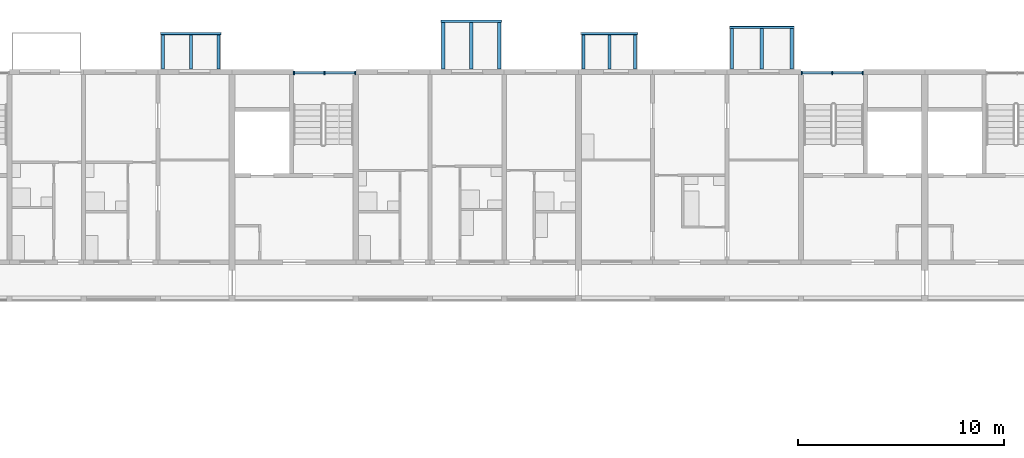
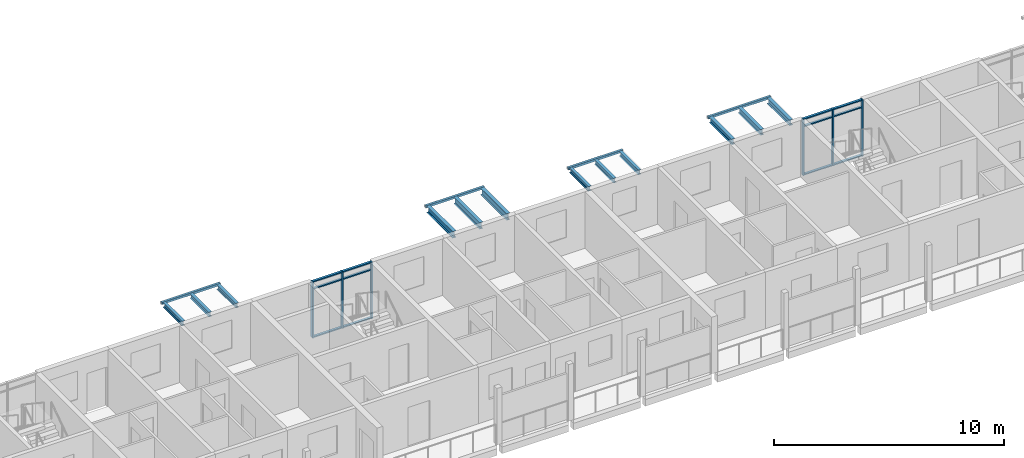
# One storey, part 19 of 99: 18 members, 16 beams, 2 elements without a shape of their own.
"""IFC4 building model written with IfcOpenShell, lengths in metres."""

from ifc_helpers import new_model, si_unit, direction, frame, origin, origin_2d, place, context, subcontext, project, spatial, rectangle, hollow_rectangle, i_section, extrude, material, material_profile, profile_set, type_object, element, aggregate, save


model = new_model("IFC4")

# Units and contexts
model_context = context("Model", 3, precision=1e-05, world=origin(), true_north=direction((0.0, 1.0)))
body_context = subcontext(model_context, "Body", "Model", "MODEL_VIEW")
ifc_project = project(units=[si_unit("LENGTHUNIT", "METRE"), si_unit("AREAUNIT", "SQUARE_METRE"), si_unit("VOLUMEUNIT", "CUBIC_METRE"), si_unit("PLANEANGLEUNIT", "RADIAN"), si_unit("MASSUNIT", "GRAM", prefix="KILO")], contexts=[model_context])

# Site, building, storey
site_placement = place(None, origin())
site = spatial("IfcSite", under=ifc_project, at=site_placement, CompositionType="ELEMENT")
building_placement = place(site_placement, origin())
building = spatial("IfcBuilding", under=site, at=building_placement, Name="Ridgestep Commons", CompositionType="ELEMENT")
storey_placement = place(building_placement, frame((0.0, 0.0, 15.0)))
storey = spatial("IfcBuildingStorey", under=building, at=storey_placement, Name="L05", CompositionType="ELEMENT", Elevation=15.0)

# Curtain wall, members
ifc_material_1 = material(Name="Aluminium 6063-T6 and glass", Category="aluminium")
curtain_wall_type = type_object("IfcCurtainWallType", Name="Curtain wall stair strip", PredefinedType="NOTDEFINED", material=ifc_material_1)
curtain_wall_1_placement = place(storey_placement, origin())
curtain_wall_1 = element("IfcCurtainWall", 1, at=curtain_wall_1_placement, inside=storey, type_object=curtain_wall_type, Name="Curtain wall C4C level 05", PredefinedType="NOTDEFINED")
ifc_material_2 = material(Name="Aluminium 6063-T6", Category="aluminium")
ifc_material_profile_1 = material_profile(ifc_material_2, rectangle(XDim=0.159912109375, YDim=0.06005859375, at=origin_2d()), Name="Mullion 60 x 160")
ifc_profile_set_1 = profile_set([ifc_material_profile_1], Name="Aluminium 6063-T6")
member_type_1 = type_object("IfcMemberType", Name="Mullion 60 x 160", PredefinedType="MULLION", material=ifc_profile_set_1)
member_1_placement = place(storey_placement, frame((200.205078125, 77.080078125, 0.0), z_axis=(0.0, 0.0, 1.0), x_axis=(0.0, 1.0, 0.0)))
member_1 = element("IfcMember", 2, at=member_1_placement, type_object=member_type_1, Name="CW1 mullion 1", PredefinedType="MULLION", context=body_context, shape_type="SweptSolid", body=[
    extrude(rectangle(XDim=0.159912109375, YDim=0.06005859375, at=origin_2d()), origin(), (0.0, 0.0, 1.0), 3.0),
])
member_2_placement = place(storey_placement, frame((201.6875, 77.080078125, 0.0), z_axis=(0.0, 0.0, 1.0), x_axis=(0.0, 1.0, 0.0)))
member_2 = element("IfcMember", 3, at=member_2_placement, type_object=member_type_1, Name="CW1 mullion 2", PredefinedType="MULLION", context=body_context, shape_type="SweptSolid", body=[
    extrude(rectangle(XDim=0.159912109375, YDim=0.06005859375, at=origin_2d()), origin(), (0.0, 0.0, 1.0), 3.0),
])
member_3_placement = place(storey_placement, frame((203.169921875, 77.080078125, 0.0), z_axis=(0.0, 0.0, 1.0), x_axis=(0.0, 1.0, 0.0)))
member_3 = element("IfcMember", 4, at=member_3_placement, type_object=member_type_1, Name="CW1 mullion 3", PredefinedType="MULLION", context=body_context, shape_type="SweptSolid", body=[
    extrude(rectangle(XDim=0.159912109375, YDim=0.06005859375, at=origin_2d()), origin(), (0.0, 0.0, 1.0), 3.0),
])

curtain_wall_2_placement = place(storey_placement, origin())
curtain_wall_2 = element("IfcCurtainWall", 5, at=curtain_wall_2_placement, inside=storey, type_object=curtain_wall_type, Name="Curtain wall C5C level 05", PredefinedType="NOTDEFINED")
member_4_placement = place(storey_placement, frame((224.830078125, 77.080078125, 0.0), z_axis=(0.0, 0.0, 1.0), x_axis=(0.0, 1.0, 0.0)))
member_4 = element("IfcMember", 6, at=member_4_placement, type_object=member_type_1, Name="CW1 mullion 1", PredefinedType="MULLION", context=body_context, shape_type="SweptSolid", body=[
    extrude(rectangle(XDim=0.159912109375, YDim=0.06005859375, at=origin_2d()), origin(), (0.0, 0.0, 1.0), 3.0),
])
member_5_placement = place(storey_placement, frame((226.3125, 77.080078125, 0.0), z_axis=(0.0, 0.0, 1.0), x_axis=(0.0, 1.0, 0.0)))
member_5 = element("IfcMember", 7, at=member_5_placement, type_object=member_type_1, Name="CW1 mullion 2", PredefinedType="MULLION", context=body_context, shape_type="SweptSolid", body=[
    extrude(rectangle(XDim=0.159912109375, YDim=0.06005859375, at=origin_2d()), origin(), (0.0, 0.0, 1.0), 3.0),
])
member_6_placement = place(storey_placement, frame((227.794921875, 77.080078125, 0.0), z_axis=(0.0, 0.0, 1.0), x_axis=(0.0, 1.0, 0.0)))
member_6 = element("IfcMember", 8, at=member_6_placement, type_object=member_type_1, Name="CW1 mullion 3", PredefinedType="MULLION", context=body_context, shape_type="SweptSolid", body=[
    extrude(rectangle(XDim=0.159912109375, YDim=0.06005859375, at=origin_2d()), origin(), (0.0, 0.0, 1.0), 3.0),
])

# Member
ifc_material_3 = material(Name="Aluminium 6063-T6", Category="aluminium")
ifc_material_profile_2 = material_profile(ifc_material_3, rectangle(XDim=0.1201171875, YDim=0.06005859375, at=origin_2d()), Name="Transom 60 x 120")
ifc_profile_set_2 = profile_set([ifc_material_profile_2], Name="Aluminium 6063-T6")
member_type_2 = type_object("IfcMemberType", Name="Transom 60 x 120", PredefinedType="USERDEFINED", material=ifc_profile_set_2)
member_7_placement = place(storey_placement, frame((200.235107421875, 77.080078125, 0.030029296875), z_axis=(1.0, 0.0, 0.0), x_axis=(0.0, 1.0, 0.0)))
member_7 = element("IfcMember", 9, at=member_7_placement, type_object=member_type_2, Name="CW1 transom 1.1", ObjectType="TRANSOM", PredefinedType="USERDEFINED", context=body_context, shape_type="SweptSolid", body=[
    extrude(rectangle(XDim=0.1201171875, YDim=0.06005859375, at=origin_2d()), origin(), (0.0, 0.0, 1.0), 1.42236328125),
])

member_8_placement = place(storey_placement, frame((200.235107421875, 77.080078125, 2.590087890625), z_axis=(1.0, 0.0, 0.0), x_axis=(0.0, 1.0, 0.0)))
member_8 = element("IfcMember", 10, at=member_8_placement, type_object=member_type_2, Name="CW1 transom 1.2", ObjectType="TRANSOM", PredefinedType="USERDEFINED", context=body_context, shape_type="SweptSolid", body=[
    extrude(rectangle(XDim=0.1201171875, YDim=0.06005859375, at=origin_2d()), origin(), (0.0, 0.0, 1.0), 1.42236328125),
])

member_9_placement = place(storey_placement, frame((200.235107421875, 77.080078125, 2.969970703125), z_axis=(1.0, 0.0, 0.0), x_axis=(0.0, 1.0, 0.0)))
member_9 = element("IfcMember", 11, at=member_9_placement, type_object=member_type_2, Name="CW1 transom 1.3", ObjectType="TRANSOM", PredefinedType="USERDEFINED", context=body_context, shape_type="SweptSolid", body=[
    extrude(rectangle(XDim=0.1201171875, YDim=0.06005859375, at=origin_2d()), origin(), (0.0, 0.0, 1.0), 1.42236328125),
])

member_10_placement = place(storey_placement, frame((201.717529296875, 77.080078125, 0.030029296875), z_axis=(1.0, 0.0, 0.0), x_axis=(0.0, 1.0, 0.0)))
member_10 = element("IfcMember", 12, at=member_10_placement, type_object=member_type_2, Name="CW1 transom 2.1", ObjectType="TRANSOM", PredefinedType="USERDEFINED", context=body_context, shape_type="SweptSolid", body=[
    extrude(rectangle(XDim=0.1201171875, YDim=0.06005859375, at=origin_2d()), origin(), (0.0, 0.0, 1.0), 1.42236328125),
])

member_11_placement = place(storey_placement, frame((201.717529296875, 77.080078125, 2.590087890625), z_axis=(1.0, 0.0, 0.0), x_axis=(0.0, 1.0, 0.0)))
member_11 = element("IfcMember", 13, at=member_11_placement, type_object=member_type_2, Name="CW1 transom 2.2", ObjectType="TRANSOM", PredefinedType="USERDEFINED", context=body_context, shape_type="SweptSolid", body=[
    extrude(rectangle(XDim=0.1201171875, YDim=0.06005859375, at=origin_2d()), origin(), (0.0, 0.0, 1.0), 1.42236328125),
])

member_12_placement = place(storey_placement, frame((201.717529296875, 77.080078125, 2.969970703125), z_axis=(1.0, 0.0, 0.0), x_axis=(0.0, 1.0, 0.0)))
member_12 = element("IfcMember", 14, at=member_12_placement, type_object=member_type_2, Name="CW1 transom 2.3", ObjectType="TRANSOM", PredefinedType="USERDEFINED", context=body_context, shape_type="SweptSolid", body=[
    extrude(rectangle(XDim=0.1201171875, YDim=0.06005859375, at=origin_2d()), origin(), (0.0, 0.0, 1.0), 1.42236328125),
])

aggregate(curtain_wall_1, [member_1, member_2, member_3, member_7, member_8, member_9, member_10, member_11, member_12])

member_13_placement = place(storey_placement, frame((224.860107421875, 77.080078125, 0.030029296875), z_axis=(1.0, 0.0, 0.0), x_axis=(0.0, 1.0, 0.0)))
member_13 = element("IfcMember", 15, at=member_13_placement, type_object=member_type_2, Name="CW1 transom 1.1", ObjectType="TRANSOM", PredefinedType="USERDEFINED", context=body_context, shape_type="SweptSolid", body=[
    extrude(rectangle(XDim=0.1201171875, YDim=0.06005859375, at=origin_2d()), origin(), (0.0, 0.0, 1.0), 1.42236328125),
])

member_14_placement = place(storey_placement, frame((224.860107421875, 77.080078125, 2.590087890625), z_axis=(1.0, 0.0, 0.0), x_axis=(0.0, 1.0, 0.0)))
member_14 = element("IfcMember", 16, at=member_14_placement, type_object=member_type_2, Name="CW1 transom 1.2", ObjectType="TRANSOM", PredefinedType="USERDEFINED", context=body_context, shape_type="SweptSolid", body=[
    extrude(rectangle(XDim=0.1201171875, YDim=0.06005859375, at=origin_2d()), origin(), (0.0, 0.0, 1.0), 1.42236328125),
])

member_15_placement = place(storey_placement, frame((224.860107421875, 77.080078125, 2.969970703125), z_axis=(1.0, 0.0, 0.0), x_axis=(0.0, 1.0, 0.0)))
member_15 = element("IfcMember", 17, at=member_15_placement, type_object=member_type_2, Name="CW1 transom 1.3", ObjectType="TRANSOM", PredefinedType="USERDEFINED", context=body_context, shape_type="SweptSolid", body=[
    extrude(rectangle(XDim=0.1201171875, YDim=0.06005859375, at=origin_2d()), origin(), (0.0, 0.0, 1.0), 1.42236328125),
])

member_16_placement = place(storey_placement, frame((226.342529296875, 77.080078125, 0.030029296875), z_axis=(1.0, 0.0, 0.0), x_axis=(0.0, 1.0, 0.0)))
member_16 = element("IfcMember", 18, at=member_16_placement, type_object=member_type_2, Name="CW1 transom 2.1", ObjectType="TRANSOM", PredefinedType="USERDEFINED", context=body_context, shape_type="SweptSolid", body=[
    extrude(rectangle(XDim=0.1201171875, YDim=0.06005859375, at=origin_2d()), origin(), (0.0, 0.0, 1.0), 1.42236328125),
])

member_17_placement = place(storey_placement, frame((226.342529296875, 77.080078125, 2.590087890625), z_axis=(1.0, 0.0, 0.0), x_axis=(0.0, 1.0, 0.0)))
member_17 = element("IfcMember", 19, at=member_17_placement, type_object=member_type_2, Name="CW1 transom 2.2", ObjectType="TRANSOM", PredefinedType="USERDEFINED", context=body_context, shape_type="SweptSolid", body=[
    extrude(rectangle(XDim=0.1201171875, YDim=0.06005859375, at=origin_2d()), origin(), (0.0, 0.0, 1.0), 1.42236328125),
])

member_18_placement = place(storey_placement, frame((226.342529296875, 77.080078125, 2.969970703125), z_axis=(1.0, 0.0, 0.0), x_axis=(0.0, 1.0, 0.0)))
member_18 = element("IfcMember", 20, at=member_18_placement, type_object=member_type_2, Name="CW1 transom 2.3", ObjectType="TRANSOM", PredefinedType="USERDEFINED", context=body_context, shape_type="SweptSolid", body=[
    extrude(rectangle(XDim=0.1201171875, YDim=0.06005859375, at=origin_2d()), origin(), (0.0, 0.0, 1.0), 1.42236328125),
])

aggregate(curtain_wall_2, [member_4, member_5, member_6, member_13, member_14, member_15, member_16, member_17, member_18])

# Beams
ifc_material_4 = material(Name="Weathering steel S355J2W", Category="steel")
ifc_material_profile_3 = material_profile(ifc_material_4, i_section(OverallWidth=0.14599609375, OverallDepth=0.25146484375, WebThickness=0.006103515625, FlangeThickness=0.008544921875, FilletRadius=0.007568359375, at=origin_2d()), Name="UB 254x146x31")
ifc_profile_set_3 = profile_set([ifc_material_profile_3], Name="Weathering steel S355J2W")
beam_type_1 = type_object("IfcBeamType", Name="Tray arm UB 254x146x31", PredefinedType="BEAM", material=ifc_profile_set_3)
for number, where, z_axis, x_axis, name in (
    (21, (193.85009765625, 77.264892578125, 2.8642578125), (0.0, 1.0, 0.0), (-1.0, 0.0, 0.0), "Tray arm C3T1-06.1"),
    (22, (195.199951171875, 77.264892578125, 2.8642578125), (0.0, 1.0, 0.0), (-1.0, 0.0, 0.0), "Tray arm C3T1-06.2"),
    (23, (196.550048828125, 77.264892578125, 2.8642578125), (0.0, 1.0, 0.0), (-1.0, 0.0, 0.0), "Tray arm C3T1-06.3"),
    (24, (214.25, 77.264892578125, 2.8642578125), (0.0, 1.0, 0.0), (-1.0, 0.0, 0.0), "Tray arm C5T1-06.1"),
    (25, (215.5, 77.264892578125, 2.8642578125), (0.0, 1.0, 0.0), (-1.0, 0.0, 0.0), "Tray arm C5T1-06.2"),
    (26, (216.75, 77.264892578125, 2.8642578125), (0.0, 1.0, 0.0), (-1.0, 0.0, 0.0), "Tray arm C5T1-06.3"),
):
    element("IfcBeam", number, at=place(storey_placement, frame(where, z_axis=z_axis, x_axis=x_axis)), inside=storey, type_object=beam_type_1, Name=name, PredefinedType="BEAM", context=body_context, shape_type="SweptSolid", body=[
        extrude(i_section(OverallWidth=0.14599609375, OverallDepth=0.25146484375, WebThickness=0.006103515625, FlangeThickness=0.008544921875, FilletRadius=0.007568359375, at=origin_2d()), origin(), (0.0, 0.0, 1.0), 1.6650390625),
    ])
ifc_material_5 = material(Name="Weathering steel S355J2W", Category="steel")
ifc_material_profile_4 = material_profile(ifc_material_5, i_section(OverallWidth=0.1650390625, OverallDepth=0.303466796875, WebThickness=0.006103515625, FlangeThickness=0.01025390625, FilletRadius=0.0087890625, at=origin_2d()), Name="UB 305x165x40")
ifc_profile_set_4 = profile_set([ifc_material_profile_4], Name="Weathering steel S355J2W")
beam_type_2 = type_object("IfcBeamType", Name="Tray arm UB 305x165x40", PredefinedType="BEAM", material=ifc_profile_set_4)
for number, where, z_axis, x_axis, name in (
    (27, (221.449951171875, 77.264892578125, 2.83837890625), (0.0, 1.0, 0.0), (-1.0, 0.0, 0.0), "Tray arm C5T3-06.1"),
    (28, (222.89990234375, 77.264892578125, 2.83837890625), (0.0, 1.0, 0.0), (-1.0, 0.0, 0.0), "Tray arm C5T3-06.2"),
    (29, (224.35009765625, 77.264892578125, 2.83837890625), (0.0, 1.0, 0.0), (-1.0, 0.0, 0.0), "Tray arm C5T3-06.3"),
):
    element("IfcBeam", number, at=place(storey_placement, frame(where, z_axis=z_axis, x_axis=x_axis)), inside=storey, type_object=beam_type_2, Name=name, PredefinedType="BEAM", context=body_context, shape_type="SweptSolid", body=[
        extrude(i_section(OverallWidth=0.1650390625, OverallDepth=0.303466796875, WebThickness=0.006103515625, FlangeThickness=0.01025390625, FilletRadius=0.0087890625, at=origin_2d()), origin(), (0.0, 0.0, 1.0), 1.965087890625),
    ])
ifc_material_6 = material(Name="Weathering steel S355J2W", Category="steel")
ifc_material_profile_5 = material_profile(ifc_material_6, i_section(OverallWidth=0.171142578125, OverallDepth=0.351318359375, WebThickness=0.007080078125, FlangeThickness=0.009765625, FilletRadius=0.01025390625, at=origin_2d()), Name="UB 356x171x45")
ifc_profile_set_5 = profile_set([ifc_material_profile_5], Name="Weathering steel S355J2W")
beam_type_3 = type_object("IfcBeamType", Name="Tray arm UB 356x171x45", PredefinedType="BEAM", material=ifc_profile_set_5)
for number, where, z_axis, x_axis, name in (
    (30, (207.449951171875, 77.264892578125, 2.814208984375), (0.0, 1.0, 0.0), (-1.0, 0.0, 0.0), "Tray arm C4T2-06.1"),
    (31, (208.800048828125, 77.264892578125, 2.814208984375), (0.0, 1.0, 0.0), (-1.0, 0.0, 0.0), "Tray arm C4T2-06.2"),
    (32, (210.14990234375, 77.264892578125, 2.814208984375), (0.0, 1.0, 0.0), (-1.0, 0.0, 0.0), "Tray arm C4T2-06.3"),
):
    element("IfcBeam", number, at=place(storey_placement, frame(where, z_axis=z_axis, x_axis=x_axis)), inside=storey, type_object=beam_type_3, Name=name, PredefinedType="BEAM", context=body_context, shape_type="SweptSolid", body=[
        extrude(i_section(OverallWidth=0.171142578125, OverallDepth=0.351318359375, WebThickness=0.007080078125, FlangeThickness=0.009765625, FilletRadius=0.01025390625, at=origin_2d()), origin(), (0.0, 0.0, 1.0), 2.26513671875),
    ])
ifc_material_7 = material(Name="Weathering steel S355J2W", Category="steel")
ifc_material_profile_6 = material_profile(ifc_material_7, hollow_rectangle(XDim=0.1201171875, YDim=0.1201171875, WallThickness=0.00634765625, InnerFilletRadius=0.00634765625, OuterFilletRadius=0.009521484375, at=origin_2d()), Name="SHS 120x120x6.3")
ifc_profile_set_6 = profile_set([ifc_material_profile_6], Name="Weathering steel S355J2W")
beam_type_4 = type_object("IfcBeamType", Name="Tray edge member SHS 120x120x6.3", PredefinedType="BEAM", material=ifc_profile_set_6)
beam_1_placement = place(storey_placement, frame((221.330078125, 79.2900390625, 2.929931640625), z_axis=(1.0, 0.0, 0.0), x_axis=(0.0, 0.0, 1.0)))
element("IfcBeam", 33, at=beam_1_placement, inside=storey, type_object=beam_type_4, Name="Tray edge member C5T3-06", PredefinedType="BEAM", context=body_context, shape_type="SweptSolid", body=[
    extrude(hollow_rectangle(XDim=0.1201171875, YDim=0.1201171875, WallThickness=0.00634765625, InnerFilletRadius=0.00634765625, OuterFilletRadius=0.009521484375, at=origin_2d()), origin(), (0.0, 0.0, 1.0), 3.139892578125),
])
for number, where, z_axis, x_axis, name in (
    (34, (193.72998046875, 78.989990234375, 2.929931640625), (1.0, 0.0, 0.0), (0.0, 0.0, 1.0), "Tray edge member C3T1-06"),
    (35, (207.330078125, 79.590087890625, 2.929931640625), (1.0, 0.0, 0.0), (0.0, 0.0, 1.0), "Tray edge member C4T2-06"),
):
    element("IfcBeam", number, at=place(storey_placement, frame(where, z_axis=z_axis, x_axis=x_axis)), inside=storey, type_object=beam_type_4, Name=name, PredefinedType="BEAM", context=body_context, shape_type="SweptSolid", body=[
        extrude(hollow_rectangle(XDim=0.1201171875, YDim=0.1201171875, WallThickness=0.00634765625, InnerFilletRadius=0.00634765625, OuterFilletRadius=0.009521484375, at=origin_2d()), origin(), (0.0, 0.0, 1.0), 2.93994140625),
    ])
beam_2_placement = place(storey_placement, frame((214.1298828125, 78.989990234375, 2.929931640625), z_axis=(1.0, 0.0, 0.0), x_axis=(0.0, 0.0, 1.0)))
element("IfcBeam", 36, at=beam_2_placement, inside=storey, type_object=beam_type_4, Name="Tray edge member C5T1-06", PredefinedType="BEAM", context=body_context, shape_type="SweptSolid", body=[
    extrude(hollow_rectangle(XDim=0.1201171875, YDim=0.1201171875, WallThickness=0.00634765625, InnerFilletRadius=0.00634765625, OuterFilletRadius=0.009521484375, at=origin_2d()), origin(), (0.0, 0.0, 1.0), 2.740234375),
])

save(model, "model.ifc")
